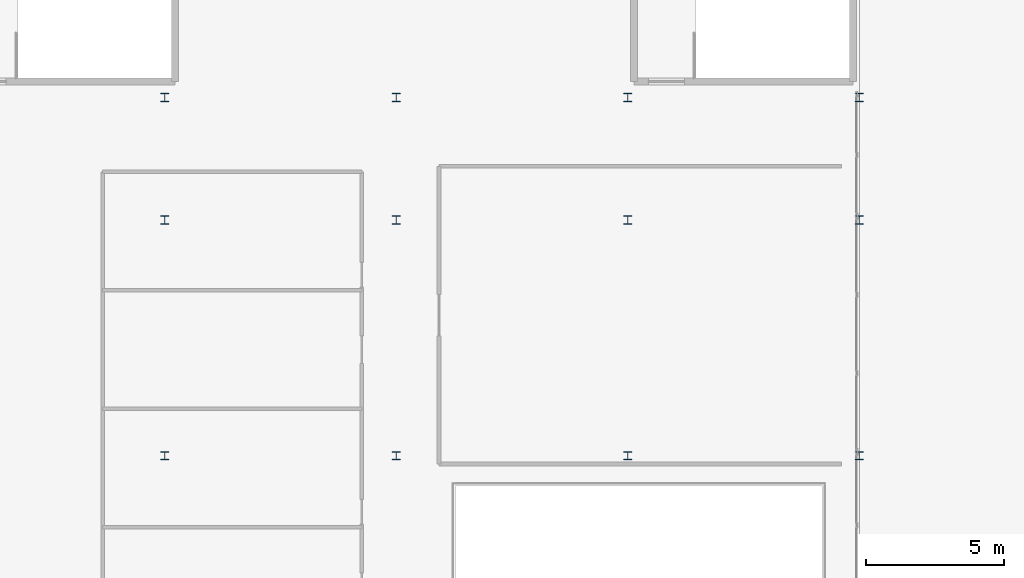
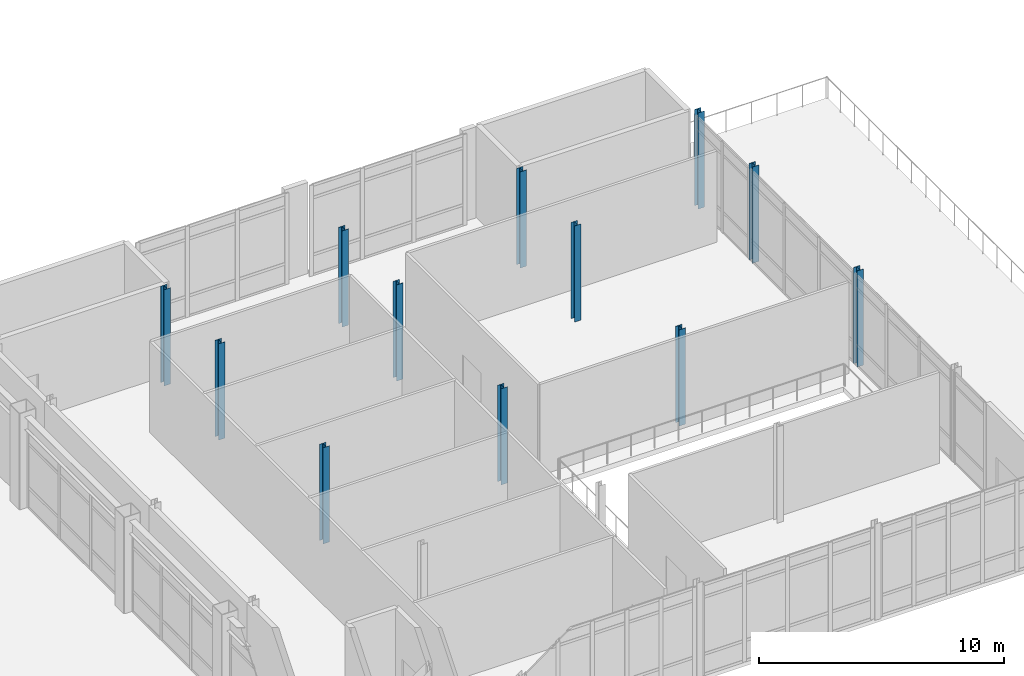
# One storey, part 11 of 154: 12 columns.
"""IFC4 building model written with IfcOpenShell, lengths in metres."""

from ifc_helpers import new_model, si_unit, direction, frame, origin, origin_2d, place, context, subcontext, project, spatial, i_section, extrude, material, material_profile, profile_set, type_object, element, save


model = new_model("IFC4")

# Units and contexts
model_context = context("Model", 3, precision=1e-05, world=origin(), true_north=direction((0.0, 1.0)))
body_context = subcontext(model_context, "Body", "Model", "MODEL_VIEW")
ifc_project = project(units=[si_unit("LENGTHUNIT", "METRE"), si_unit("AREAUNIT", "SQUARE_METRE"), si_unit("VOLUMEUNIT", "CUBIC_METRE"), si_unit("PLANEANGLEUNIT", "RADIAN"), si_unit("MASSUNIT", "GRAM", prefix="KILO")], contexts=[model_context])

# Site, building, storey
site_placement = place(None, origin())
site = spatial("IfcSite", under=ifc_project, at=site_placement, CompositionType="ELEMENT")
building_placement = place(site_placement, origin())
building = spatial("IfcBuilding", under=site, at=building_placement, Name="Kazehara Bluff Congress Hotel", CompositionType="ELEMENT")
storey_placement = place(building_placement, frame((0.0, 0.0, 10.199951171875)))
storey = spatial("IfcBuildingStorey", under=building, at=storey_placement, Name="L02", CompositionType="ELEMENT", Elevation=10.199951171875)

# Columns
ifc_material = material(Name="Steel SN400B", Category="steel")
ifc_material_profile = material_profile(ifc_material, i_section(OverallWidth=0.300048828125, OverallDepth=0.300048828125, WebThickness=0.010009765625, FlangeThickness=0.014892578125, FilletRadius=0.012939453125, at=origin_2d()))
ifc_profile_set = profile_set([ifc_material_profile], Name="Steel SN400B")
column_type = type_object("IfcColumnType", Name="TP-C-11", PredefinedType="COLUMN", material=ifc_profile_set)
for number, where, z_axis, x_axis, name in (
    (1, (67.64990234375, 96.89990234375, 0.0), (0.0, 0.0, 1.0), (1.0, 0.0, 0.0), "L02 column C-11 (67.65,96.90)"),
    (2, (67.64990234375, 105.449951171875, 0.0), (0.0, 0.0, 1.0), (1.0, 0.0, 0.0), "L02 column C-11 (67.65,105.45)"),
    (3, (67.64990234375, 109.89990234375, 0.0), (0.0, 0.0, 1.0), (1.0, 0.0, 0.0), "L02 column C-11 (67.65,109.90)"),
    (4, (76.050048828125, 96.89990234375, 0.0), (0.0, 0.0, 1.0), (1.0, 0.0, 0.0), "L02 column C-11 (76.05,96.90)"),
    (5, (76.050048828125, 105.449951171875, 0.0), (0.0, 0.0, 1.0), (1.0, 0.0, 0.0), "L02 column C-11 (76.05,105.45)"),
    (6, (76.050048828125, 109.89990234375, 0.0), (0.0, 0.0, 1.0), (1.0, 0.0, 0.0), "L02 column C-11 (76.05,109.90)"),
    (7, (84.449951171875, 96.89990234375, 0.0), (0.0, 0.0, 1.0), (1.0, 0.0, 0.0), "L02 column C-11 (84.45,96.90)"),
    (8, (84.449951171875, 105.449951171875, 0.0), (0.0, 0.0, 1.0), (1.0, 0.0, 0.0), "L02 column C-11 (84.45,105.45)"),
    (9, (84.449951171875, 109.89990234375, 0.0), (0.0, 0.0, 1.0), (1.0, 0.0, 0.0), "L02 column C-11 (84.45,109.90)"),
    (10, (92.85009765625, 96.89990234375, 0.0), (0.0, 0.0, 1.0), (1.0, 0.0, 0.0), "L02 column C-11 (92.85,96.90)"),
    (11, (92.85009765625, 105.449951171875, 0.0), (0.0, 0.0, 1.0), (1.0, 0.0, 0.0), "L02 column C-11 (92.85,105.45)"),
    (12, (92.85009765625, 109.89990234375, 0.0), (0.0, 0.0, 1.0), (1.0, 0.0, 0.0), "L02 column C-11 (92.85,109.90)"),
):
    element("IfcColumn", number, at=place(storey_placement, frame(where, z_axis=z_axis, x_axis=x_axis)), inside=storey, type_object=column_type, Name=name, PredefinedType="COLUMN", context=body_context, shape_type="SweptSolid", body=[
        extrude(i_section(OverallWidth=0.300048828125, OverallDepth=0.300048828125, WebThickness=0.010009765625, FlangeThickness=0.014892578125, FilletRadius=0.012939453125, at=origin_2d()), origin(), (0.0, 0.0, 1.0), 4.800048828125),
    ])

save(model, "model.ifc")
